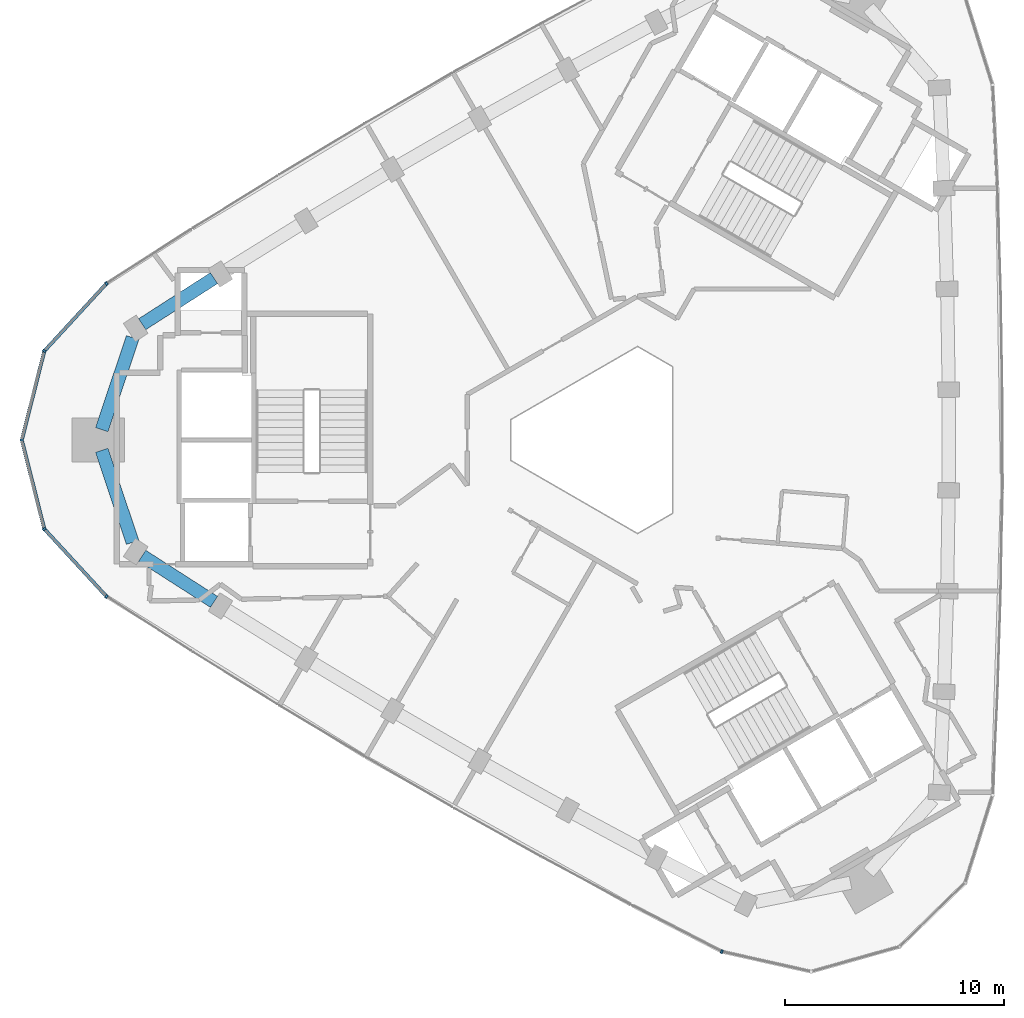
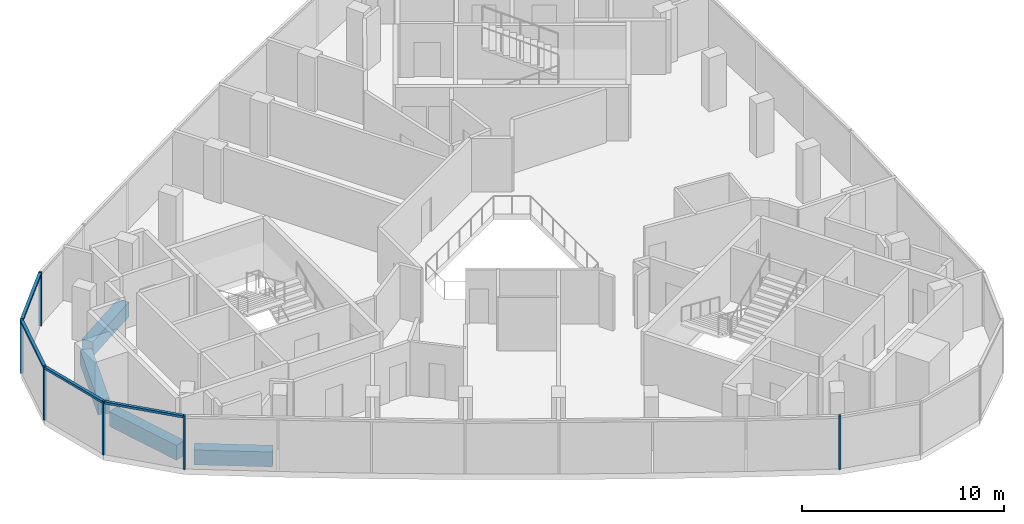
# One storey, part 2 of 10: 10 members, 4 beams, 2 elements without a shape of their own.
"""IFC4 building model written with IfcOpenShell, lengths in metres."""

from ifc_helpers import new_model, si_unit, direction, frame, origin, origin_2d, place, context, subcontext, project, spatial, rectangle, extrude, material, material_profile, profile_set, type_object, element, aggregate, save


model = new_model("IFC4")

# Units and contexts
model_context = context("Model", 3, precision=1e-05, world=origin(), true_north=direction((0.0, 1.0)))
body_context = subcontext(model_context, "Body", "Model", "MODEL_VIEW")
ifc_project = project(units=[si_unit("LENGTHUNIT", "METRE"), si_unit("AREAUNIT", "SQUARE_METRE"), si_unit("VOLUMEUNIT", "CUBIC_METRE"), si_unit("PLANEANGLEUNIT", "RADIAN"), si_unit("MASSUNIT", "GRAM", prefix="KILO")], contexts=[model_context])

# Site, building, storey
site_placement = place(None, origin())
site = spatial("IfcSite", under=ifc_project, at=site_placement, CompositionType="ELEMENT")
building_placement = place(site_placement, origin())
building = spatial("IfcBuilding", under=site, at=building_placement, Name="Tamra Quay Hotel Tower", CompositionType="ELEMENT")
storey_placement = place(building_placement, frame((0.0, 0.0, 276.60009765625)))
storey = spatial("IfcBuildingStorey", under=building, at=storey_placement, Name="L70", CompositionType="ELEMENT", Elevation=276.60009765625)

# Curtain wall, members
ifc_material_1 = material(Name="Aluminium 6063 anodised dark grey", Category="aluminium")
curtain_wall_type_1 = type_object("IfcCurtainWallType", Name="CW2 CURTAIN WALL", PredefinedType="NOTDEFINED", material=ifc_material_1)
curtain_wall_1_placement = place(storey_placement, origin())
curtain_wall_1 = element("IfcCurtainWall", 1, at=curtain_wall_1_placement, inside=storey, type_object=curtain_wall_type_1, Name="CW2 north-west face L70", PredefinedType="NOTDEFINED")
ifc_material_profile_1 = material_profile(ifc_material_1, rectangle(XDim=0.159912109375, YDim=0.10009765625, at=origin_2d()), Name="MULLION 100X160")
ifc_profile_set_1 = profile_set([ifc_material_profile_1], Name="Aluminium 6063 anodised dark grey")
member_type_1 = type_object("IfcMemberType", Name="MULLION CW2 Z6", PredefinedType="MULLION", material=ifc_profile_set_1)
member_1_placement = place(storey_placement, frame((-22.898681640625, 7.15869140625, 0.0), z_axis=(0.0, 0.0, 1.0), x_axis=(-0.6430864584, 0.765793579904, 0.0)))
member_1 = element("IfcMember", 2, at=member_1_placement, type_object=member_type_1, Name="CW2 mullion L70.NW.8", PredefinedType="MULLION", context=body_context, shape_type="SweptSolid", body=[
    extrude(rectangle(XDim=0.159912109375, YDim=0.10009765625, at=origin_2d()), origin(), (0.0, 0.0, 1.0), 3.25),
])
member_2_placement = place(storey_placement, frame((-25.742431640625, 4.070068359375, 0.0), z_axis=(0.0, 0.0, 1.0), x_axis=(-0.879433050093, 0.476022594427, 0.0)))
member_2 = element("IfcMember", 3, at=member_2_placement, type_object=member_type_1, Name="CW2 mullion L70.NW.9", PredefinedType="MULLION", context=body_context, shape_type="SweptSolid", body=[
    extrude(rectangle(XDim=0.159912109375, YDim=0.10009765625, at=origin_2d()), origin(), (0.0, 0.0, 1.0), 3.25),
])
member_3_placement = place(storey_placement, frame((-26.7734375, 0.0, 0.0), z_axis=(0.0, 0.0, 1.0), x_axis=(-1.0, 0.0, 0.0)))
member_3 = element("IfcMember", 4, at=member_3_placement, type_object=member_type_1, Name="CW2 mullion L70.NW.10", PredefinedType="MULLION", context=body_context, shape_type="SweptSolid", body=[
    extrude(rectangle(XDim=0.159912109375, YDim=0.10009765625, at=origin_2d()), origin(), (0.0, 0.0, 1.0), 3.25),
])
member_4_placement = place(storey_placement, frame((-25.742431640625, -4.070068359375, 0.0), z_axis=(0.0, 0.0, 1.0), x_axis=(-0.879433050093, -0.476022594427, 0.0)))
member_4 = element("IfcMember", 5, at=member_4_placement, type_object=member_type_1, Name="CW2 mullion L70.NW.11", PredefinedType="MULLION", context=body_context, shape_type="SweptSolid", body=[
    extrude(rectangle(XDim=0.159912109375, YDim=0.10009765625, at=origin_2d()), origin(), (0.0, 0.0, 1.0), 3.25),
])

curtain_wall_type_2 = type_object("IfcCurtainWallType", Name="CW3 CURTAIN WALL", PredefinedType="NOTDEFINED", material=ifc_material_1)
curtain_wall_2_placement = place(storey_placement, origin())
curtain_wall_2 = element("IfcCurtainWall", 6, at=curtain_wall_2_placement, inside=storey, type_object=curtain_wall_type_2, Name="CW3 south-west face L70", PredefinedType="NOTDEFINED")
ifc_material_profile_2 = material_profile(ifc_material_1, rectangle(XDim=0.159912109375, YDim=0.10009765625, at=origin_2d()), Name="MULLION 100X160")
ifc_profile_set_2 = profile_set([ifc_material_profile_2], Name="Aluminium 6063 anodised dark grey")
member_type_2 = type_object("IfcMemberType", Name="MULLION CW3 Z6", PredefinedType="MULLION", material=ifc_profile_set_2)
member_5_placement = place(storey_placement, frame((-22.898681640625, -7.15869140625, 0.0), z_axis=(0.0, 0.0, 1.0), x_axis=(-0.6430864584, -0.765793579904, 0.0)))
member_5 = element("IfcMember", 7, at=member_5_placement, type_object=member_type_2, Name="CW3 mullion L70.SW.1", PredefinedType="MULLION", context=body_context, shape_type="SweptSolid", body=[
    extrude(rectangle(XDim=0.159912109375, YDim=0.10009765625, at=origin_2d()), origin(), (0.0, 0.0, 1.0), 3.25),
])
member_6_placement = place(storey_placement, frame((5.249755859375, -23.409912109375, 0.0), z_axis=(0.0, 0.0, 1.0), x_axis=(-0.341653465052, -0.939825999756, 0.0)))
member_6 = element("IfcMember", 8, at=member_6_placement, type_object=member_type_2, Name="CW3 mullion L70.SW.8", PredefinedType="MULLION", context=body_context, shape_type="SweptSolid", body=[
    extrude(rectangle(XDim=0.159912109375, YDim=0.10009765625, at=origin_2d()), origin(), (0.0, 0.0, 1.0), 3.25),
])
aggregate(curtain_wall_2, [member_5, member_6])

# Beams
ifc_material_2 = material(Name="Concrete M60", Category="concrete")
ifc_material_profile_3 = material_profile(ifc_material_2, rectangle(XDim=0.60009765625, YDim=0.89990234375, at=origin_2d()), Name="SPANDREL BEAM RC 600x900")
ifc_profile_set_3 = profile_set([ifc_material_profile_3], Name="Concrete M60")
beam_type = type_object("IfcBeamType", Name="SPANDREL BEAM RC 600x900", PredefinedType="SPANDREL", material=ifc_profile_set_3)
beam_1_placement = place(storey_placement, frame((-17.97607421875, 7.406005859375, -0.800048828125), z_axis=(-0.841679613882, -0.539977247276, 0.0), x_axis=(0.539977247276, -0.841679613882, 0.0)))
element("IfcBeam", 9, at=beam_1_placement, inside=storey, type_object=beam_type, Name="BM-SP6-015-L70", PredefinedType="SPANDREL", context=body_context, shape_type="SweptSolid", body=[
    extrude(rectangle(XDim=0.60009765625, YDim=0.89990234375, at=origin_2d()), origin(), (0.0, 0.0, 1.0), 3.906982421875),
])
for number, where, z_axis, x_axis, name in (
    (10, (-21.70068359375, 4.6845703125, -0.800048828125), (-0.318271531925, -0.947999594919, 0.0), (0.947999594919, -0.318271531925, 0.0), "BM-SP6-016-L70"),
    (11, (-23.114501953125, -0.473388671875, -0.800048828125), (0.318271531925, -0.947999594919, 0.0), (0.947999594919, 0.318271531925, 0.0), "BM-SP6-017-L70"),
):
    element("IfcBeam", number, at=place(storey_placement, frame(where, z_axis=z_axis, x_axis=x_axis)), inside=storey, type_object=beam_type, Name=name, PredefinedType="SPANDREL", context=body_context, shape_type="SweptSolid", body=[
        extrude(rectangle(XDim=0.60009765625, YDim=0.89990234375, at=origin_2d()), origin(), (0.0, 0.0, 1.0), 4.442138671875),
    ])
beam_2_placement = place(storey_placement, frame((-21.264404296875, -5.29638671875, -0.800048828125), z_axis=(0.841679613882, -0.539977247276, 0.0), x_axis=(0.539977247276, 0.841679613882, 0.0)))
element("IfcBeam", 12, at=beam_2_placement, inside=storey, type_object=beam_type, Name="BM-SP6-018-L70", PredefinedType="SPANDREL", context=body_context, shape_type="SweptSolid", body=[
    extrude(rectangle(XDim=0.60009765625, YDim=0.89990234375, at=origin_2d()), origin(), (0.0, 0.0, 1.0), 3.906982421875),
])

# Member
ifc_material_profile_4 = material_profile(ifc_material_1, rectangle(XDim=0.159912109375, YDim=0.139892578125, at=origin_2d()), Name="TRANSOM 160X140")
ifc_profile_set_4 = profile_set([ifc_material_profile_4], Name="Aluminium 6063 anodised dark grey")
member_type_3 = type_object("IfcMemberType", Name="TRANSOM CW2 Z6", PredefinedType="USERDEFINED", material=ifc_profile_set_4)
member_7_placement = place(storey_placement, frame((-22.932373046875, 7.121826171875, 3.179931640625), z_axis=(-0.67737906931, -0.735634145795, 0.0), x_axis=(0.735634145795, -0.67737906931, 0.0)))
member_7 = element("IfcMember", 13, at=member_7_placement, type_object=member_type_3, Name="CW2 transom L70.NW.8", ObjectType="TRANSOM", PredefinedType="USERDEFINED", context=body_context, shape_type="SweptSolid", body=[
    extrude(rectangle(XDim=0.159912109375, YDim=0.139892578125, at=origin_2d()), origin(), (0.0, 0.0, 1.0), 4.0986328125),
])

member_8_placement = place(storey_placement, frame((-25.7548828125, 4.021484375, 3.179931640625), z_axis=(-0.245492022127, -0.969398611033, 0.0), x_axis=(0.969398611033, -0.245492022127, 0.0)))
member_8 = element("IfcMember", 14, at=member_8_placement, type_object=member_type_3, Name="CW2 transom L70.NW.9", ObjectType="TRANSOM", PredefinedType="USERDEFINED", context=body_context, shape_type="SweptSolid", body=[
    extrude(rectangle(XDim=0.159912109375, YDim=0.139892578125, at=origin_2d()), origin(), (0.0, 0.0, 1.0), 4.098388671875),
])

member_9_placement = place(storey_placement, frame((-26.760986328125, -0.048583984375, 3.179931640625), z_axis=(0.245492022127, -0.969398611033, 0.0), x_axis=(0.969398611033, 0.245492022127, 0.0)))
member_9 = element("IfcMember", 15, at=member_9_placement, type_object=member_type_3, Name="CW2 transom L70.NW.10", ObjectType="TRANSOM", PredefinedType="USERDEFINED", context=body_context, shape_type="SweptSolid", body=[
    extrude(rectangle(XDim=0.159912109375, YDim=0.139892578125, at=origin_2d()), origin(), (0.0, 0.0, 1.0), 4.098388671875),
])

member_10_placement = place(storey_placement, frame((-25.708740234375, -4.106689453125, 3.179931640625), z_axis=(0.67737906931, -0.735634145795, 0.0), x_axis=(0.735634145795, 0.67737906931, 0.0)))
member_10 = element("IfcMember", 16, at=member_10_placement, type_object=member_type_3, Name="CW2 transom L70.NW.11", ObjectType="TRANSOM", PredefinedType="USERDEFINED", context=body_context, shape_type="SweptSolid", body=[
    extrude(rectangle(XDim=0.159912109375, YDim=0.139892578125, at=origin_2d()), origin(), (0.0, 0.0, 1.0), 4.0986328125),
])

aggregate(curtain_wall_1, [member_1, member_7, member_2, member_8, member_3, member_9, member_4, member_10])

save(model, "model.ifc")
